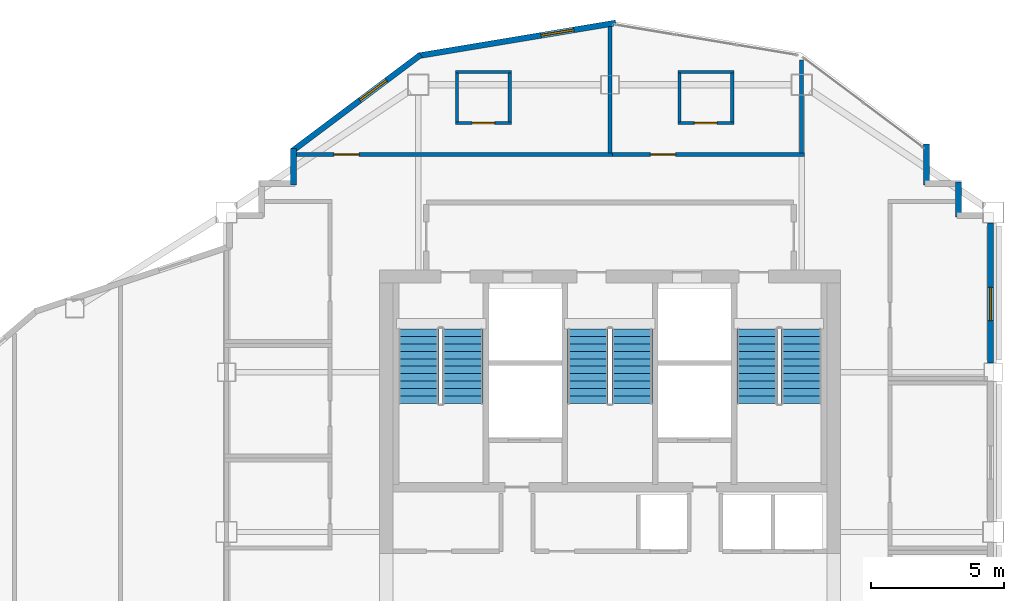
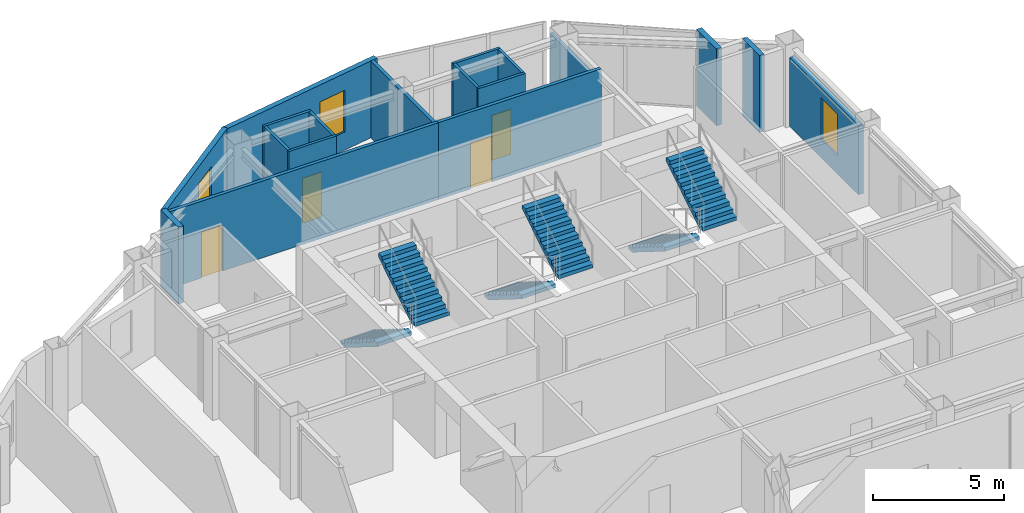
# One storey, part 8 of 9: 18 walls, 6 stair flights, 4 doors, 3 windows, 7 openings, 3 elements without a shape of their own.
"""IFC4 building model written with IfcOpenShell, lengths in metres."""

from ifc_helpers import new_model, si_unit, direction, frame, frame_2d, origin, place, context, subcontext, project, spatial, polyline, rectangle, outline, extrude, material, layer, layer_set, type_object, element, fill, aggregate, save


model = new_model("IFC4")

# Units and contexts
model_context = context("Model", 3, precision=1e-05, world=origin(), true_north=direction((0.0, 1.0)))
body_context = subcontext(model_context, "Body", "Model", "MODEL_VIEW")
ifc_project = project(units=[si_unit("LENGTHUNIT", "METRE"), si_unit("AREAUNIT", "SQUARE_METRE"), si_unit("VOLUMEUNIT", "CUBIC_METRE"), si_unit("PLANEANGLEUNIT", "RADIAN"), si_unit("MASSUNIT", "GRAM", prefix="KILO")], contexts=[model_context])

# Site, building, storey
site_placement = place(None, origin())
site = spatial("IfcSite", under=ifc_project, at=site_placement, CompositionType="ELEMENT")
building_placement = place(site_placement, origin())
building = spatial("IfcBuilding", under=site, at=building_placement, Name="Haolan Belvedere Tower", CompositionType="ELEMENT")
storey_placement = place(building_placement, frame((0.0, 0.0, 273.699951171875)))
storey = spatial("IfcBuildingStorey", under=building, at=storey_placement, Name="L69", CompositionType="ELEMENT", Elevation=273.699951171875)

# Wall, opening, window
ifc_material_1 = material(Name="Precast concrete C40/50", Category="concrete")
ifc_layer_1 = layer(ifc_material_1, 0.219970703125, Name="Precast concrete C40/50")
ifc_layer_set_1 = layer_set([ifc_layer_1], Name="Precast concrete C40/50")
wall_type_1 = type_object("IfcWallType", Name="WL-EXT-220", PredefinedType="SOLIDWALL", material=ifc_layer_set_1)
wall_1_placement = place(storey_placement, frame((52.68994140625, 39.94189453125, 0.0), z_axis=(0.0, 0.0, 1.0), x_axis=(0.0, 1.0, 0.0)))
wall_1 = element("IfcWall", 1, at=wall_1_placement, inside=storey, type_object=wall_type_1, Name="L69 pale-metal exterior spandrel wall 3.4", PredefinedType="SOLIDWALL", context=body_context, shape_type="SweptSolid", body=[
    extrude(rectangle(XDim=5.26611328125, YDim=0.219970703125, at=frame_2d((2.633056640625, 0.0))), origin(), (0.0, 0.0, 1.0), 3.235107421875),
])
opening_1_placement = place(wall_1_placement, frame((1.60009765625, 0.0, 0.85009765625)))
opening_1 = element("IfcOpeningElement", 2, at=opening_1_placement, cuts=wall_1, Name="Opening W-04", PredefinedType="OPENING", context=body_context, shape_type="SweptSolid", body=[
    extrude(rectangle(XDim=1.25, YDim=1.949951171875, at=frame_2d((0.625, 0.97509765625))), frame((0.0, 0.119873046875, 0.0), z_axis=(0.0, -1.0, 0.0), x_axis=(1.0, 0.0, 0.0)), (0.0, 0.0, 1.0), 0.239990234375),
])
ifc_material_2 = material(Name="Anodised aluminium 6063-T6 and Low-E glass", Category="aluminium")
window_type = type_object("IfcWindowType", Name="WN-DECO-Z4", PartitioningType="SINGLE_PANEL", PredefinedType="WINDOW", material=ifc_material_2)
window_1_placement = place(opening_1_placement, origin())
window_1 = element("IfcWindow", 3, at=window_1_placement, inside=storey, type_object=window_type, Name="L69 Art Deco chevron window 1", OverallHeight=1.949951171875, OverallWidth=1.25, PartitioningType="SINGLE_PANEL", PredefinedType="WINDOW", context=body_context, shape_type="SweptSolid", body=[
    extrude(rectangle(XDim=1.25, YDim=1.949951171875, at=frame_2d((0.625, 0.97509765625))), frame((0.0, 0.030029296875, 0.0), z_axis=(0.0, -1.0, 0.0), x_axis=(1.0, 0.0, 0.0)), (0.0, 0.0, 1.0), 0.06005859375),
])
fill(opening_1, window_1)

# Walls
wall_2_placement = place(storey_placement, frame((51.489990234375, 45.43505859375, 0.0), z_axis=(0.0, 0.0, 1.0), x_axis=(0.0, 1.0, 0.0)))
element("IfcWall", 4, at=wall_2_placement, inside=storey, type_object=wall_type_1, Name="L69 pale-metal exterior spandrel wall 5.1", PredefinedType="SOLIDWALL", context=body_context, shape_type="SweptSolid", body=[
    extrude(rectangle(XDim=1.31005859375, YDim=0.219970703125, at=frame_2d((0.655029296875, 0.0))), origin(), (0.0, 0.0, 1.0), 3.590087890625),
])
wall_3_placement = place(storey_placement, frame((50.2900390625, 46.635009765625, 0.0), z_axis=(0.0, 0.0, 1.0), x_axis=(0.0, 1.0, 0.0)))
element("IfcWall", 5, at=wall_3_placement, inside=storey, type_object=wall_type_1, Name="L69 pale-metal exterior spandrel wall 7.1", PredefinedType="SOLIDWALL", context=body_context, shape_type="SweptSolid", body=[
    extrude(rectangle(XDim=1.534912109375, YDim=0.219970703125, at=frame_2d((0.767578125, 0.0))), origin(), (0.0, 0.0, 1.0), 3.590087890625),
])

# Wall, opening, window
wall_4_placement = place(storey_placement, frame((38.621826171875, 52.7255859375, 0.0), z_axis=(0.0, 0.0, 1.0), x_axis=(-0.986390420428, -0.164420006349, 0.0)))
wall_4 = element("IfcWall", 6, at=wall_4_placement, inside=storey, type_object=wall_type_1, Name="L69 pale-metal exterior spandrel wall 10.1", PredefinedType="SOLIDWALL", context=body_context, shape_type="SweptSolid", body=[
    extrude(rectangle(XDim=7.5341796875, YDim=0.219970703125, at=frame_2d((3.76708984375, 0.0))), origin(), (0.0, 0.0, 1.0), 3.590087890625),
])
opening_2_placement = place(wall_4_placement, frame((1.60009765625, 0.0, 0.85009765625)))
opening_2 = element("IfcOpeningElement", 7, at=opening_2_placement, cuts=wall_4, Name="Opening W-04", PredefinedType="OPENING", context=body_context, shape_type="SweptSolid", body=[
    extrude(rectangle(XDim=1.25, YDim=1.949951171875, at=frame_2d((0.625, 0.97509765625))), frame((0.0, 0.119873046875, 0.0), z_axis=(0.0, -1.0, 0.0), x_axis=(1.0, 0.0, 0.0)), (0.0, 0.0, 1.0), 0.239990234375),
])
window_2_placement = place(opening_2_placement, origin())
window_2 = element("IfcWindow", 8, at=window_2_placement, inside=storey, type_object=window_type, Name="L69 Art Deco chevron window 1", OverallHeight=1.949951171875, OverallWidth=1.25, PartitioningType="SINGLE_PANEL", PredefinedType="WINDOW", context=body_context, shape_type="SweptSolid", body=[
    extrude(rectangle(XDim=1.25, YDim=1.949951171875, at=frame_2d((0.625, 0.97509765625))), frame((0.0, 0.030029296875, 0.0), z_axis=(0.0, -1.0, 0.0), x_axis=(1.0, 0.0, 0.0)), (0.0, 0.0, 1.0), 0.06005859375),
])
fill(opening_2, window_2)

wall_5_placement = place(storey_placement, frame((31.28857421875, 51.52880859375, 0.0), z_axis=(0.0, 0.0, 1.0), x_axis=(-0.800014580093, -0.599980559383, 0.0)))
wall_5 = element("IfcWall", 9, at=wall_5_placement, inside=storey, type_object=wall_type_1, Name="L69 pale-metal exterior spandrel wall 11.1", PredefinedType="SOLIDWALL", context=body_context, shape_type="SweptSolid", body=[
    extrude(rectangle(XDim=6.028076171875, YDim=0.219970703125, at=frame_2d((3.01416015625, 0.0))), origin(), (0.0, 0.0, 1.0), 3.590087890625),
])
opening_3_placement = place(wall_5_placement, frame((1.60009765625, 0.0, 0.85009765625)))
opening_3 = element("IfcOpeningElement", 10, at=opening_3_placement, cuts=wall_5, Name="Opening W-04", PredefinedType="OPENING", context=body_context, shape_type="SweptSolid", body=[
    extrude(rectangle(XDim=1.25, YDim=1.949951171875, at=frame_2d((0.625, 0.97509765625))), frame((0.0, 0.119873046875, 0.0), z_axis=(0.0, -1.0, 0.0), x_axis=(1.0, 0.0, 0.0)), (0.0, 0.0, 1.0), 0.239990234375),
])
window_3_placement = place(opening_3_placement, origin())
window_3 = element("IfcWindow", 11, at=window_3_placement, inside=storey, type_object=window_type, Name="L69 Art Deco chevron window 1", OverallHeight=1.949951171875, OverallWidth=1.25, PartitioningType="SINGLE_PANEL", PredefinedType="WINDOW", context=body_context, shape_type="SweptSolid", body=[
    extrude(rectangle(XDim=1.25, YDim=1.949951171875, at=frame_2d((0.625, 0.97509765625))), frame((0.0, 0.030029296875, 0.0), z_axis=(0.0, -1.0, 0.0), x_axis=(1.0, 0.0, 0.0)), (0.0, 0.0, 1.0), 0.06005859375),
])
fill(opening_3, window_3)

# Wall
wall_6_placement = place(storey_placement, frame((26.510009765625, 48.0, 0.0), z_axis=(0.0, 0.0, 1.0), x_axis=(0.0, -1.0, 0.0)))
element("IfcWall", 12, at=wall_6_placement, inside=storey, type_object=wall_type_1, Name="L69 pale-metal exterior spandrel wall 12.1", PredefinedType="SOLIDWALL", context=body_context, shape_type="SweptSolid", body=[
    extrude(rectangle(XDim=1.364990234375, YDim=0.219970703125, at=frame_2d((0.6826171875, 0.0))), origin(), (0.0, 0.0, 1.0), 3.590087890625),
])

# Wall, opening, door
ifc_material_3 = material(Name="Double gypsum acoustic stud partition", Category="masonry")
ifc_layer_2 = layer(ifc_material_3, 0.14990234375, Name="Double gypsum acoustic stud partition")
ifc_layer_set_2 = layer_set([ifc_layer_2], Name="Double gypsum acoustic stud partition")
wall_type_2 = type_object("IfcWallType", Name="WL-PART-150", PredefinedType="PARTITIONING", material=ifc_layer_set_2)
wall_7_placement = place(storey_placement, frame((26.612060546875, 47.780029296875, 0.0), z_axis=(0.0, 0.0, 1.0), x_axis=(1.0, 0.0, 0.0)))
wall_7 = element("IfcWall", 13, at=wall_7_placement, inside=storey, type_object=wall_type_2, Name="L69 interior partition IW-L69-KN1-S", PredefinedType="PARTITIONING", context=body_context, shape_type="SweptSolid", body=[
    extrude(rectangle(XDim=11.887939453125, YDim=0.14990234375, at=frame_2d((5.94384765625, 0.0))), origin(), (0.0, 0.0, 1.0), 3.590087890625),
])
opening_4_placement = place(wall_7_placement, frame((1.419921875, 0.0, 0.0)))
opening_4 = element("IfcOpeningElement", 14, at=opening_4_placement, cuts=wall_7, Name="Opening ID-02", PredefinedType="OPENING", context=body_context, shape_type="SweptSolid", body=[
    extrude(rectangle(XDim=0.949951171875, YDim=2.14990234375, at=frame_2d((0.47509765625, 1.074951171875))), frame((0.0, 0.0849609375, 0.0), z_axis=(0.0, -1.0, 0.0), x_axis=(1.0, 0.0, 0.0)), (0.0, 0.0, 1.0), 0.169921875),
])
ifc_material_4 = material(Name="Acoustic oak veneer fire-rated timber", Category="wood")
door_type_1 = type_object("IfcDoorType", Name="DR-GUEST-950", OperationType="NOTDEFINED", PredefinedType="DOOR", material=ifc_material_4)
door_1_placement = place(opening_4_placement, origin())
door_1 = element("IfcDoor", 15, at=door_1_placement, inside=storey, type_object=door_type_1, Name="L69 door ID-L69-KN1-ENT", OperationType="SINGLE_SWING_RIGHT", OverallHeight=2.14990234375, OverallWidth=0.949951171875, PredefinedType="DOOR", context=body_context, shape_type="SweptSolid", body=[
    extrude(rectangle(XDim=0.949951171875, YDim=2.14990234375, at=frame_2d((0.47509765625, 1.074951171875))), frame((0.0, 0.02490234375, 0.0), z_axis=(0.0, -1.0, 0.0), x_axis=(1.0, 0.0, 0.0)), (0.0, 0.0, 1.0), 0.050048828125),
])
fill(opening_4, door_1)

# Wall
wall_8_placement = place(storey_placement, frame((38.39990234375, 47.840087890625, 0.0), z_axis=(0.0, 0.0, 1.0), x_axis=(0.0, 1.0, 0.0)))
element("IfcWall", 16, at=wall_8_placement, inside=storey, type_object=wall_type_2, Name="L69 interior partition IW-L69-KN1-E", PredefinedType="PARTITIONING", context=body_context, shape_type="SweptSolid", body=[
    extrude(rectangle(XDim=4.7451171875, YDim=0.14990234375, at=frame_2d((2.37255859375, 0.0))), origin(), (0.0, 0.0, 1.0), 3.590087890625),
])

# Wall, opening, door
wall_9_placement = place(storey_placement, frame((38.501953125, 47.780029296875, 0.0), z_axis=(0.0, 0.0, 1.0), x_axis=(1.0, 0.0, 0.0)))
wall_9 = element("IfcWall", 17, at=wall_9_placement, inside=storey, type_object=wall_type_2, Name="L69 interior partition IW-L69-KN2-S", PredefinedType="PARTITIONING", context=body_context, shape_type="SweptSolid", body=[
    extrude(rectangle(XDim=7.197998046875, YDim=0.14990234375, at=frame_2d((3.59912109375, 0.0))), origin(), (0.0, 0.0, 1.0), 3.590087890625),
])
opening_5_placement = place(wall_9_placement, frame((1.41748046875, 0.0, 0.0)))
opening_5 = element("IfcOpeningElement", 18, at=opening_5_placement, cuts=wall_9, Name="Opening ID-02", PredefinedType="OPENING", context=body_context, shape_type="SweptSolid", body=[
    extrude(rectangle(XDim=0.949951171875, YDim=2.14990234375, at=frame_2d((0.47509765625, 1.074951171875))), frame((0.0, 0.0849609375, 0.0), z_axis=(0.0, -1.0, 0.0), x_axis=(1.0, 0.0, 0.0)), (0.0, 0.0, 1.0), 0.169921875),
])
door_2_placement = place(opening_5_placement, origin())
door_2 = element("IfcDoor", 19, at=door_2_placement, inside=storey, type_object=door_type_1, Name="L69 door ID-L69-KN2-ENT", OperationType="SINGLE_SWING_LEFT", OverallHeight=2.14990234375, OverallWidth=0.949951171875, PredefinedType="DOOR", context=body_context, shape_type="SweptSolid", body=[
    extrude(rectangle(XDim=0.949951171875, YDim=2.14990234375, at=frame_2d((0.47509765625, 1.074951171875))), frame((0.0, 0.02490234375, 0.0), z_axis=(0.0, -1.0, 0.0), x_axis=(1.0, 0.0, 0.0)), (0.0, 0.0, 1.0), 0.050048828125),
])
fill(opening_5, door_2)

# Walls
wall_10_placement = place(storey_placement, frame((45.60009765625, 47.840087890625, 0.0), z_axis=(0.0, 0.0, 1.0), x_axis=(0.0, 1.0, 0.0)))
element("IfcWall", 20, at=wall_10_placement, inside=storey, type_object=wall_type_2, Name="L69 interior partition IW-L69-KN2-E", PredefinedType="PARTITIONING", context=body_context, shape_type="SweptSolid", body=[
    extrude(rectangle(XDim=3.494873046875, YDim=0.14990234375, at=frame_2d((1.74755859375, 0.0))), origin(), (0.0, 0.0, 1.0), 3.125),
])
ifc_material_5 = material(Name="Moisture-resistant gypsum tile partition", Category="masonry")
ifc_layer_3 = layer(ifc_material_5, 0.1201171875, Name="Moisture-resistant gypsum tile partition")
ifc_layer_set_3 = layer_set([ifc_layer_3], Name="Moisture-resistant gypsum tile partition")
wall_type_3 = type_object("IfcWallType", Name="WL-WET-120", PredefinedType="PARTITIONING", material=ifc_layer_set_3)
wall_11_placement = place(storey_placement, frame((32.595947265625, 50.8798828125, 0.0), z_axis=(0.0, 0.0, 1.0), x_axis=(1.0, 0.0, 0.0)))
element("IfcWall", 21, at=wall_11_placement, inside=storey, type_object=wall_type_3, Name="L69 interior partition IW-L69-KN1-BN", PredefinedType="PARTITIONING", context=body_context, shape_type="SweptSolid", body=[
    extrude(rectangle(XDim=2.10009765625, YDim=0.1201171875, at=frame_2d((1.050048828125, 0.0))), origin(), (0.0, 0.0, 1.0), 3.590087890625),
])

# Wall, opening, door
wall_12_placement = place(storey_placement, frame((32.595947265625, 48.9599609375, 0.0), z_axis=(0.0, 0.0, 1.0), x_axis=(1.0, 0.0, 0.0)))
wall_12 = element("IfcWall", 22, at=wall_12_placement, inside=storey, type_object=wall_type_3, Name="L69 interior partition IW-L69-KN1-BS", PredefinedType="PARTITIONING", context=body_context, shape_type="SweptSolid", body=[
    extrude(rectangle(XDim=2.10009765625, YDim=0.1201171875, at=frame_2d((1.050048828125, 0.0))), origin(), (0.0, 0.0, 1.0), 3.590087890625),
])
opening_6_placement = place(wall_12_placement, frame((0.625, 0.0, 0.0)))
opening_6 = element("IfcOpeningElement", 23, at=opening_6_placement, cuts=wall_12, Name="Opening ID-05", PredefinedType="OPENING", context=body_context, shape_type="SweptSolid", body=[
    extrude(rectangle(XDim=0.85009765625, YDim=2.10009765625, at=frame_2d((0.425048828125, 1.050048828125))), frame((0.0, 0.070068359375, 0.0), z_axis=(0.0, -1.0, 0.0), x_axis=(1.0, 0.0, 0.0)), (0.0, 0.0, 1.0), 0.14013671875),
])
ifc_material_6 = material(Name="Moisture-resistant lacquered timber", Category="wood")
door_type_2 = type_object("IfcDoorType", Name="DR-BATH-850", OperationType="NOTDEFINED", PredefinedType="DOOR", material=ifc_material_6)
door_3_placement = place(opening_6_placement, origin())
door_3 = element("IfcDoor", 24, at=door_3_placement, inside=storey, type_object=door_type_2, Name="L69 door ID-L69-KN1-BATH", OperationType="SINGLE_SWING_LEFT", OverallHeight=2.10009765625, OverallWidth=0.85009765625, PredefinedType="DOOR", context=body_context, shape_type="SweptSolid", body=[
    extrude(rectangle(XDim=0.85009765625, YDim=2.10009765625, at=frame_2d((0.425048828125, 1.050048828125))), frame((0.0, 0.02490234375, 0.0), z_axis=(0.0, -1.0, 0.0), x_axis=(1.0, 0.0, 0.0)), (0.0, 0.0, 1.0), 0.050048828125),
])
fill(opening_6, door_3)

# Walls
for number, where, z_axis, x_axis, name in (
    (25, (32.656005859375, 49.0048828125, 0.0), (0.0, 0.0, 1.0), (0.0, 1.0, 0.0), "L69 interior partition IW-L69-KN1-BW"),
    (26, (34.635986328125, 49.0048828125, 0.0), (0.0, 0.0, 1.0), (0.0, 1.0, 0.0), "L69 interior partition IW-L69-KN1-BE"),
):
    element("IfcWall", number, at=place(storey_placement, frame(where, z_axis=z_axis, x_axis=x_axis)), inside=storey, type_object=wall_type_3, Name=name, PredefinedType="PARTITIONING", context=body_context, shape_type="SweptSolid", body=[
        extrude(rectangle(XDim=1.830078125, YDim=0.1201171875, at=frame_2d((0.9150390625, 0.0))), origin(), (0.0, 0.0, 1.0), 3.590087890625),
    ])
wall_13_placement = place(storey_placement, frame((40.949951171875, 50.8798828125, 0.0), z_axis=(0.0, 0.0, 1.0), x_axis=(1.0, 0.0, 0.0)))
element("IfcWall", 27, at=wall_13_placement, inside=storey, type_object=wall_type_3, Name="L69 interior partition IW-L69-KN2-BN", PredefinedType="PARTITIONING", context=body_context, shape_type="SweptSolid", body=[
    extrude(rectangle(XDim=2.10009765625, YDim=0.1201171875, at=frame_2d((1.050048828125, 0.0))), origin(), (0.0, 0.0, 1.0), 3.590087890625),
])

# Wall, opening, door
wall_14_placement = place(storey_placement, frame((40.949951171875, 48.9599609375, 0.0), z_axis=(0.0, 0.0, 1.0), x_axis=(1.0, 0.0, 0.0)))
wall_14 = element("IfcWall", 28, at=wall_14_placement, inside=storey, type_object=wall_type_3, Name="L69 interior partition IW-L69-KN2-BS", PredefinedType="PARTITIONING", context=body_context, shape_type="SweptSolid", body=[
    extrude(rectangle(XDim=2.10009765625, YDim=0.1201171875, at=frame_2d((1.050048828125, 0.0))), origin(), (0.0, 0.0, 1.0), 3.590087890625),
])
opening_7_placement = place(wall_14_placement, frame((0.625, 0.0, 0.0)))
opening_7 = element("IfcOpeningElement", 29, at=opening_7_placement, cuts=wall_14, Name="Opening ID-05", PredefinedType="OPENING", context=body_context, shape_type="SweptSolid", body=[
    extrude(rectangle(XDim=0.85009765625, YDim=2.10009765625, at=frame_2d((0.425048828125, 1.050048828125))), frame((0.0, 0.070068359375, 0.0), z_axis=(0.0, -1.0, 0.0), x_axis=(1.0, 0.0, 0.0)), (0.0, 0.0, 1.0), 0.14013671875),
])
door_4_placement = place(opening_7_placement, origin())
door_4 = element("IfcDoor", 30, at=door_4_placement, inside=storey, type_object=door_type_2, Name="L69 door ID-L69-KN2-BATH", OperationType="SINGLE_SWING_RIGHT", OverallHeight=2.10009765625, OverallWidth=0.85009765625, PredefinedType="DOOR", context=body_context, shape_type="SweptSolid", body=[
    extrude(rectangle(XDim=0.85009765625, YDim=2.10009765625, at=frame_2d((0.425048828125, 1.050048828125))), frame((0.0, 0.02490234375, 0.0), z_axis=(0.0, -1.0, 0.0), x_axis=(1.0, 0.0, 0.0)), (0.0, 0.0, 1.0), 0.050048828125),
])
fill(opening_7, door_4)

# Walls
for number, where, z_axis, x_axis, name in (
    (31, (41.010009765625, 49.0048828125, 0.0), (0.0, 0.0, 1.0), (0.0, 1.0, 0.0), "L69 interior partition IW-L69-KN2-BW"),
    (32, (42.989990234375, 49.0048828125, 0.0), (0.0, 0.0, 1.0), (0.0, 1.0, 0.0), "L69 interior partition IW-L69-KN2-BE"),
):
    element("IfcWall", number, at=place(storey_placement, frame(where, z_axis=z_axis, x_axis=x_axis)), inside=storey, type_object=wall_type_3, Name=name, PredefinedType="PARTITIONING", context=body_context, shape_type="SweptSolid", body=[
        extrude(rectangle(XDim=1.830078125, YDim=0.1201171875, at=frame_2d((0.9150390625, 0.0))), origin(), (0.0, 0.0, 1.0), 3.590087890625),
    ])

# Stair, stair flights
ifc_material_7 = material(Name="Concrete C40/50", Category="concrete")
stair_type = type_object("IfcStairType", Name="STR-DL-22R-175", PredefinedType="HALF_TURN_STAIR", material=ifc_material_7)
stair_1_placement = place(storey_placement, origin())
stair_1 = element("IfcStair", 33, at=stair_1_placement, inside=storey, type_object=stair_type, Name="L69 Smokeproof Core Exit Stair ST1", PredefinedType="HALF_TURN_STAIR")
stair_flight_type = type_object("IfcStairFlightType", Name="SFL-DL-11R-175", PredefinedType="STRAIGHT", material=ifc_material_7)
stair_flight_1_placement = place(storey_placement, frame((31.2099609375, 41.22998046875, 0.0), z_axis=(0.0, 0.0, 1.0), x_axis=(0.0, -1.0, 0.0)))
stair_flight_1 = element("IfcStairFlight", 34, at=stair_flight_1_placement, type_object=stair_flight_type, Name="ST1 flight 1", NumberOfRisers=11, NumberOfTreads=10, PredefinedType="STRAIGHT", RiserHeight=0.175, TreadLength=0.28, context=body_context, shape_type="SweptSolid", body=[
    extrude(outline(polyline([(0.0, 0.0), (0.0, 0.175048828125), (0.280029296875, 0.175048828125), (0.280029296875, 0.35009765625), (0.56005859375, 0.35009765625), (0.56005859375, 0.52490234375), (0.840087890625, 0.52490234375), (0.840087890625, 0.699951171875), (1.1201171875, 0.699951171875), (1.1201171875, 0.875), (1.39990234375, 0.875), (1.39990234375, 1.050048828125), (1.679931640625, 1.050048828125), (1.679931640625, 1.22509765625), (1.9599609375, 1.22509765625), (1.9599609375, 1.39990234375), (2.239990234375, 1.39990234375), (2.239990234375, 1.574951171875), (2.52001953125, 1.574951171875), (2.52001953125, 1.75), (2.800048828125, 1.75), (2.800048828125, 1.925048828125), (2.800048828125, 1.5732421875), (0.28271484375, 0.0), (0.0, 0.0)])), frame((0.0, 0.760009765625, 0.0), z_axis=(0.0, -1.0, 0.0), x_axis=(1.0, 0.0, 0.0)), (0.0, 0.0, 1.0), 1.52001953125),
])
stair_flight_2_placement = place(storey_placement, frame((32.8701171875, 38.429931640625, 1.925048828125), z_axis=(0.0, 0.0, 1.0), x_axis=(0.0, 1.0, 0.0)))
stair_flight_2 = element("IfcStairFlight", 35, at=stair_flight_2_placement, type_object=stair_flight_type, Name="ST1 flight 2", NumberOfRisers=11, NumberOfTreads=10, PredefinedType="STRAIGHT", RiserHeight=0.175, TreadLength=0.28, context=body_context, shape_type="SweptSolid", body=[
    extrude(outline(polyline([(0.0, 0.0), (0.0, 0.175048828125), (0.280029296875, 0.175048828125), (0.280029296875, 0.35009765625), (0.56005859375, 0.35009765625), (0.56005859375, 0.52490234375), (0.840087890625, 0.52490234375), (0.840087890625, 0.699951171875), (1.1201171875, 0.699951171875), (1.1201171875, 0.875), (1.39990234375, 0.875), (1.39990234375, 1.050048828125), (1.679931640625, 1.050048828125), (1.679931640625, 1.22509765625), (1.9599609375, 1.22509765625), (1.9599609375, 1.39990234375), (2.239990234375, 1.39990234375), (2.239990234375, 1.574951171875), (2.52001953125, 1.574951171875), (2.52001953125, 1.75), (2.800048828125, 1.75), (2.800048828125, 1.925048828125), (2.800048828125, 1.5732421875), (0.28271484375, 0.0), (0.0, 0.0)])), frame((0.0, 0.760009765625, 0.0), z_axis=(0.0, -1.0, 0.0), x_axis=(1.0, 0.0, 0.0)), (0.0, 0.0, 1.0), 1.52001953125),
])
aggregate(stair_1, [stair_flight_1, stair_flight_2])

stair_2_placement = place(storey_placement, origin())
stair_2 = element("IfcStair", 36, at=stair_2_placement, inside=storey, type_object=stair_type, Name="L69 Smokeproof Core Exit Stair ST3", PredefinedType="HALF_TURN_STAIR")
stair_flight_3_placement = place(storey_placement, frame((37.570068359375, 41.22998046875, 0.0), z_axis=(0.0, 0.0, 1.0), x_axis=(0.0, -1.0, 0.0)))
stair_flight_3 = element("IfcStairFlight", 37, at=stair_flight_3_placement, type_object=stair_flight_type, Name="ST3 flight 1", NumberOfRisers=11, NumberOfTreads=10, PredefinedType="STRAIGHT", RiserHeight=0.175, TreadLength=0.28, context=body_context, shape_type="SweptSolid", body=[
    extrude(outline(polyline([(0.0, 0.0), (0.0, 0.175048828125), (0.280029296875, 0.175048828125), (0.280029296875, 0.35009765625), (0.56005859375, 0.35009765625), (0.56005859375, 0.52490234375), (0.840087890625, 0.52490234375), (0.840087890625, 0.699951171875), (1.1201171875, 0.699951171875), (1.1201171875, 0.875), (1.39990234375, 0.875), (1.39990234375, 1.050048828125), (1.679931640625, 1.050048828125), (1.679931640625, 1.22509765625), (1.9599609375, 1.22509765625), (1.9599609375, 1.39990234375), (2.239990234375, 1.39990234375), (2.239990234375, 1.574951171875), (2.52001953125, 1.574951171875), (2.52001953125, 1.75), (2.800048828125, 1.75), (2.800048828125, 1.925048828125), (2.800048828125, 1.5732421875), (0.28271484375, 0.0), (0.0, 0.0)])), frame((0.0, 0.760009765625, 0.0), z_axis=(0.0, -1.0, 0.0), x_axis=(1.0, 0.0, 0.0)), (0.0, 0.0, 1.0), 1.52001953125),
])
stair_flight_4_placement = place(storey_placement, frame((39.22998046875, 38.429931640625, 1.925048828125), z_axis=(0.0, 0.0, 1.0), x_axis=(0.0, 1.0, 0.0)))
stair_flight_4 = element("IfcStairFlight", 38, at=stair_flight_4_placement, type_object=stair_flight_type, Name="ST3 flight 2", NumberOfRisers=11, NumberOfTreads=10, PredefinedType="STRAIGHT", RiserHeight=0.175, TreadLength=0.28, context=body_context, shape_type="SweptSolid", body=[
    extrude(outline(polyline([(0.0, 0.0), (0.0, 0.175048828125), (0.280029296875, 0.175048828125), (0.280029296875, 0.35009765625), (0.56005859375, 0.35009765625), (0.56005859375, 0.52490234375), (0.840087890625, 0.52490234375), (0.840087890625, 0.699951171875), (1.1201171875, 0.699951171875), (1.1201171875, 0.875), (1.39990234375, 0.875), (1.39990234375, 1.050048828125), (1.679931640625, 1.050048828125), (1.679931640625, 1.22509765625), (1.9599609375, 1.22509765625), (1.9599609375, 1.39990234375), (2.239990234375, 1.39990234375), (2.239990234375, 1.574951171875), (2.52001953125, 1.574951171875), (2.52001953125, 1.75), (2.800048828125, 1.75), (2.800048828125, 1.925048828125), (2.800048828125, 1.5732421875), (0.28271484375, 0.0), (0.0, 0.0)])), frame((0.0, 0.760009765625, 0.0), z_axis=(0.0, -1.0, 0.0), x_axis=(1.0, 0.0, 0.0)), (0.0, 0.0, 1.0), 1.52001953125),
])
aggregate(stair_2, [stair_flight_3, stair_flight_4])

stair_3_placement = place(storey_placement, origin())
stair_3 = element("IfcStair", 39, at=stair_3_placement, inside=storey, type_object=stair_type, Name="L69 Smokeproof Core Exit Stair ST2", PredefinedType="HALF_TURN_STAIR")
stair_flight_5_placement = place(storey_placement, frame((43.929931640625, 41.22998046875, 0.0), z_axis=(0.0, 0.0, 1.0), x_axis=(0.0, -1.0, 0.0)))
stair_flight_5 = element("IfcStairFlight", 40, at=stair_flight_5_placement, type_object=stair_flight_type, Name="ST2 flight 1", NumberOfRisers=11, NumberOfTreads=10, PredefinedType="STRAIGHT", RiserHeight=0.175, TreadLength=0.28, context=body_context, shape_type="SweptSolid", body=[
    extrude(outline(polyline([(0.0, 0.0), (0.0, 0.175048828125), (0.280029296875, 0.175048828125), (0.280029296875, 0.35009765625), (0.56005859375, 0.35009765625), (0.56005859375, 0.52490234375), (0.840087890625, 0.52490234375), (0.840087890625, 0.699951171875), (1.1201171875, 0.699951171875), (1.1201171875, 0.875), (1.39990234375, 0.875), (1.39990234375, 1.050048828125), (1.679931640625, 1.050048828125), (1.679931640625, 1.22509765625), (1.9599609375, 1.22509765625), (1.9599609375, 1.39990234375), (2.239990234375, 1.39990234375), (2.239990234375, 1.574951171875), (2.52001953125, 1.574951171875), (2.52001953125, 1.75), (2.800048828125, 1.75), (2.800048828125, 1.925048828125), (2.800048828125, 1.5732421875), (0.28271484375, 0.0), (0.0, 0.0)])), frame((0.0, 0.760009765625, 0.0), z_axis=(0.0, -1.0, 0.0), x_axis=(1.0, 0.0, 0.0)), (0.0, 0.0, 1.0), 1.52001953125),
])
stair_flight_6_placement = place(storey_placement, frame((45.590087890625, 38.429931640625, 1.925048828125), z_axis=(0.0, 0.0, 1.0), x_axis=(0.0, 1.0, 0.0)))
stair_flight_6 = element("IfcStairFlight", 41, at=stair_flight_6_placement, type_object=stair_flight_type, Name="ST2 flight 2", NumberOfRisers=11, NumberOfTreads=10, PredefinedType="STRAIGHT", RiserHeight=0.175, TreadLength=0.28, context=body_context, shape_type="SweptSolid", body=[
    extrude(outline(polyline([(0.0, 0.0), (0.0, 0.175048828125), (0.280029296875, 0.175048828125), (0.280029296875, 0.35009765625), (0.56005859375, 0.35009765625), (0.56005859375, 0.52490234375), (0.840087890625, 0.52490234375), (0.840087890625, 0.699951171875), (1.1201171875, 0.699951171875), (1.1201171875, 0.875), (1.39990234375, 0.875), (1.39990234375, 1.050048828125), (1.679931640625, 1.050048828125), (1.679931640625, 1.22509765625), (1.9599609375, 1.22509765625), (1.9599609375, 1.39990234375), (2.239990234375, 1.39990234375), (2.239990234375, 1.574951171875), (2.52001953125, 1.574951171875), (2.52001953125, 1.75), (2.800048828125, 1.75), (2.800048828125, 1.925048828125), (2.800048828125, 1.5732421875), (0.28271484375, 0.0), (0.0, 0.0)])), frame((0.0, 0.760009765625, 0.0), z_axis=(0.0, -1.0, 0.0), x_axis=(1.0, 0.0, 0.0)), (0.0, 0.0, 1.0), 1.52001953125),
])
aggregate(stair_3, [stair_flight_5, stair_flight_6])

save(model, "model.ifc")
